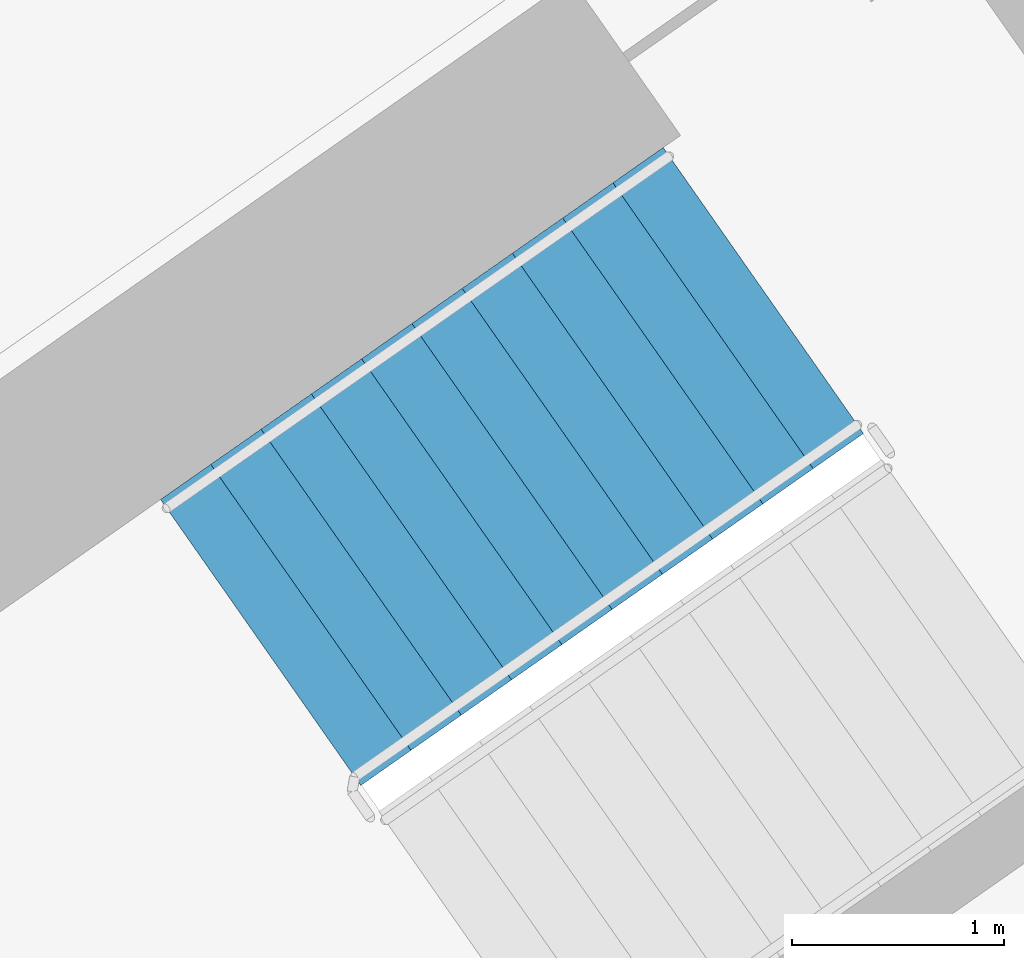
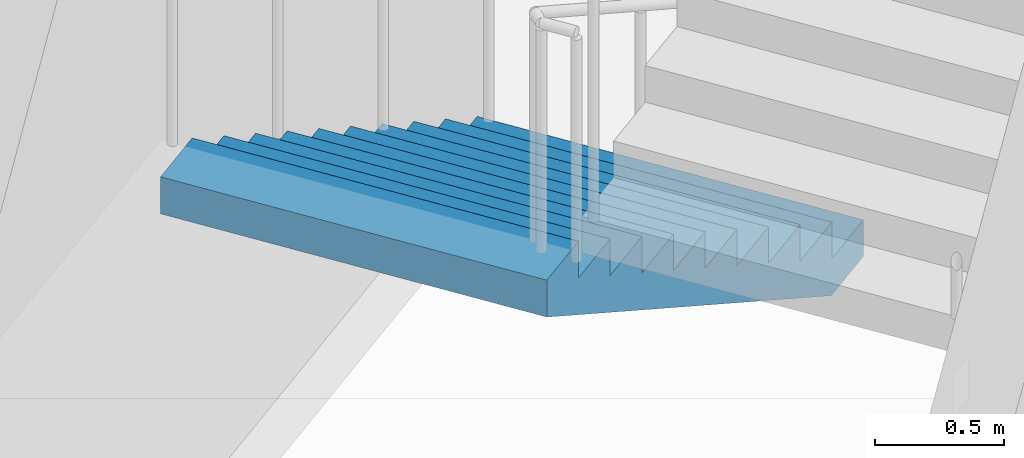
# One storey, part 17 of 31: 1 stair flight, 1 element without a shape of its own.
"""IFC4 building model written with IfcOpenShell, lengths in metres."""

from ifc_helpers import new_model, si_unit, direction, frame, origin, place, context, subcontext, project, spatial, faceted_brep, material, type_object, element, aggregate, save


model = new_model("IFC4")

# Units and contexts
model_context = context("Model", 3, precision=1e-05, world=origin(), true_north=direction((0.0, 1.0)))
body_context = subcontext(model_context, "Body", "Model", "MODEL_VIEW")
ifc_project = project(units=[si_unit("LENGTHUNIT", "METRE"), si_unit("AREAUNIT", "SQUARE_METRE"), si_unit("VOLUMEUNIT", "CUBIC_METRE"), si_unit("PLANEANGLEUNIT", "RADIAN"), si_unit("MASSUNIT", "GRAM", prefix="KILO")], contexts=[model_context])

# Site, building, storey
site_placement = place(None, origin())
site = spatial("IfcSite", under=ifc_project, at=site_placement, CompositionType="ELEMENT")
building_placement = place(site_placement, origin())
building = spatial("IfcBuilding", under=site, at=building_placement, Name="Qamariyya Broadcast Tower", CompositionType="ELEMENT")
storey_placement = place(building_placement, frame((0.0, 0.0, 48.10009765625)))
storey = spatial("IfcBuildingStorey", under=building, at=storey_placement, Name="L08", CompositionType="ELEMENT", Elevation=48.10009765625)

# Stair, stair flight
ifc_material = material(Name="Concrete C50/60", Category="concrete")
stair_type = type_object("IfcStairType", Name="Exit stair 22 risers of 173 mm", PredefinedType="HALF_TURN_STAIR", material=ifc_material)
stair_placement = place(storey_placement, origin())
stair = element("IfcStair", 1, at=stair_placement, inside=storey, type_object=stair_type, Name="L08 Stair E2", PredefinedType="HALF_TURN_STAIR")
stair_flight_type = type_object("IfcStairFlightType", Name="Exit stair flight 11 risers of 173 mm", PredefinedType="STRAIGHT", material=ifc_material)
stair_flight_placement = place(storey_placement, frame((40.558837890625, -47.685302734375, 0.0), z_axis=(0.0, 0.0, 1.0), x_axis=(-0.819152044289, -0.573576436351, 0.0)))
stair_flight = element("IfcStairFlight", 2, at=stair_flight_placement, type_object=stair_flight_type, Name="ST-E2 flight 1", NumberOfRisers=11, NumberOfTreads=10, PredefinedType="STRAIGHT", RiserHeight=0.172727273, TreadLength=0.29, context=body_context, shape_type="Brep", body=[
    faceted_brep([(0.0, 0.824951171875, 0.0), (0.0, 0.824951171875, 0.172607421875), (0.2900390625, 0.824951171875, 0.172607421875), (0.2900390625, 0.824951171875, 0.345458984375), (0.580078125, 0.824951171875, 0.345458984375), (0.580078125, 0.824951171875, 0.51806640625), (0.8701171875, 0.824951171875, 0.51806640625), (0.8701171875, 0.824951171875, 0.69091796875), (1.159912109375, 0.824951171875, 0.69091796875), (1.159912109375, 0.824951171875, 0.863525390625), (1.449951171875, 0.824951171875, 0.863525390625), (1.449951171875, 0.824951171875, 1.036376953125), (1.739990234375, 0.824951171875, 1.036376953125), (1.739990234375, 0.824951171875, 1.208984375), (2.030029296875, 0.824951171875, 1.208984375), (2.030029296875, 0.824951171875, 1.3818359375), (2.320068359375, 0.824951171875, 1.3818359375), (2.320068359375, 0.824951171875, 1.554443359375), (2.610107421875, 0.824951171875, 1.554443359375), (2.610107421875, 0.824951171875, 1.727294921875), (2.89990234375, 0.824951171875, 1.727294921875), (2.89990234375, 0.824951171875, 1.552734375), (0.29296875, 0.824951171875, 0.0), (0.29296875, -0.824951171875, 0.0), (2.89990234375, -0.824951171875, 1.552734375), (2.89990234375, -0.824951171875, 1.727294921875), (2.610107421875, -0.824951171875, 1.727294921875), (2.610107421875, -0.824951171875, 1.554443359375), (2.320068359375, -0.824951171875, 1.554443359375), (2.320068359375, -0.824951171875, 1.3818359375), (2.030029296875, -0.824951171875, 1.3818359375), (2.030029296875, -0.824951171875, 1.208984375), (1.739990234375, -0.824951171875, 1.208984375), (1.739990234375, -0.824951171875, 1.036376953125), (1.449951171875, -0.824951171875, 1.036376953125), (1.449951171875, -0.824951171875, 0.863525390625), (1.159912109375, -0.824951171875, 0.863525390625), (1.159912109375, -0.824951171875, 0.69091796875), (0.8701171875, -0.824951171875, 0.69091796875), (0.8701171875, -0.824951171875, 0.51806640625), (0.580078125, -0.824951171875, 0.51806640625), (0.580078125, -0.824951171875, 0.345458984375), (0.2900390625, -0.824951171875, 0.345458984375), (0.2900390625, -0.824951171875, 0.172607421875), (0.0, -0.824951171875, 0.172607421875), (0.0, -0.824951171875, 0.0), (0.0, 0.10009765625, 0.0), (0.0, 0.086669921875, 0.0), (0.0, 0.0732421875, 0.0), (0.0, 0.06005859375, 0.0), (0.0, 0.046630859375, 0.0), (0.0, 0.033447265625, 0.0), (0.0, 0.02001953125, 0.0), (0.0, 0.006591796875, 0.0), (0.0, -0.006591796875, 0.0), (0.0, -0.02001953125, 0.0), (0.0, -0.033447265625, 0.0), (0.0, -0.046630859375, 0.0), (0.0, -0.06005859375, 0.0), (0.0, -0.0732421875, 0.0), (0.0, -0.086669921875, 0.0), (0.0, -0.10009765625, 0.0), (0.0, -0.10009765625, 0.172607421875), (0.0, -0.086669921875, 0.172607421875), (0.0, -0.0732421875, 0.172607421875), (0.0, -0.06005859375, 0.172607421875), (0.0, -0.046630859375, 0.172607421875), (0.0, -0.033447265625, 0.172607421875), (0.0, -0.02001953125, 0.172607421875), (0.0, -0.006591796875, 0.172607421875), (0.0, 0.006591796875, 0.172607421875), (0.0, 0.02001953125, 0.172607421875), (0.0, 0.033447265625, 0.172607421875), (0.0, 0.046630859375, 0.172607421875), (0.0, 0.06005859375, 0.172607421875), (0.0, 0.0732421875, 0.172607421875), (0.0, 0.086669921875, 0.172607421875), (0.0, 0.10009765625, 0.172607421875), (0.2900390625, -0.10009765625, 0.172607421875), (0.2900390625, -0.086669921875, 0.172607421875), (0.2900390625, -0.0732421875, 0.172607421875), (0.2900390625, -0.06005859375, 0.172607421875), (0.2900390625, -0.046630859375, 0.172607421875), (0.2900390625, -0.033447265625, 0.172607421875), (0.2900390625, -0.02001953125, 0.172607421875), (0.2900390625, -0.006591796875, 0.172607421875), (0.2900390625, 0.006591796875, 0.172607421875), (0.2900390625, 0.02001953125, 0.172607421875), (0.2900390625, 0.033447265625, 0.172607421875), (0.2900390625, 0.046630859375, 0.172607421875), (0.2900390625, 0.06005859375, 0.172607421875), (0.2900390625, 0.0732421875, 0.172607421875), (0.2900390625, 0.086669921875, 0.172607421875), (0.2900390625, 0.10009765625, 0.172607421875), (0.2900390625, -0.10009765625, 0.345458984375), (0.2900390625, -0.086669921875, 0.345458984375), (0.2900390625, -0.0732421875, 0.345458984375), (0.2900390625, -0.06005859375, 0.345458984375), (0.2900390625, -0.046630859375, 0.345458984375), (0.2900390625, -0.033447265625, 0.345458984375), (0.2900390625, -0.02001953125, 0.345458984375), (0.2900390625, -0.006591796875, 0.345458984375), (0.2900390625, 0.006591796875, 0.345458984375), (0.2900390625, 0.02001953125, 0.345458984375), (0.2900390625, 0.033447265625, 0.345458984375), (0.2900390625, 0.046630859375, 0.345458984375), (0.2900390625, 0.06005859375, 0.345458984375), (0.2900390625, 0.0732421875, 0.345458984375), (0.2900390625, 0.086669921875, 0.345458984375), (0.2900390625, 0.10009765625, 0.345458984375), (0.580078125, -0.10009765625, 0.345458984375), (0.580078125, -0.086669921875, 0.345458984375), (0.580078125, -0.0732421875, 0.345458984375), (0.580078125, -0.06005859375, 0.345458984375), (0.580078125, -0.046630859375, 0.345458984375), (0.580078125, -0.033447265625, 0.345458984375), (0.580078125, -0.02001953125, 0.345458984375), (0.580078125, -0.006591796875, 0.345458984375), (0.580078125, 0.006591796875, 0.345458984375), (0.580078125, 0.02001953125, 0.345458984375), (0.580078125, 0.033447265625, 0.345458984375), (0.580078125, 0.046630859375, 0.345458984375), (0.580078125, 0.06005859375, 0.345458984375), (0.580078125, 0.0732421875, 0.345458984375), (0.580078125, 0.086669921875, 0.345458984375), (0.580078125, 0.10009765625, 0.345458984375), (0.580078125, -0.10009765625, 0.51806640625), (0.580078125, -0.086669921875, 0.51806640625), (0.580078125, -0.0732421875, 0.51806640625), (0.580078125, -0.06005859375, 0.51806640625), (0.580078125, -0.046630859375, 0.51806640625), (0.580078125, -0.033447265625, 0.51806640625), (0.580078125, -0.02001953125, 0.51806640625), (0.580078125, -0.006591796875, 0.51806640625), (0.580078125, 0.006591796875, 0.51806640625), (0.580078125, 0.02001953125, 0.51806640625), (0.580078125, 0.033447265625, 0.51806640625), (0.580078125, 0.046630859375, 0.51806640625), (0.580078125, 0.06005859375, 0.51806640625), (0.580078125, 0.0732421875, 0.51806640625), (0.580078125, 0.086669921875, 0.51806640625), (0.580078125, 0.10009765625, 0.51806640625), (0.8701171875, -0.10009765625, 0.51806640625), (0.8701171875, -0.086669921875, 0.51806640625), (0.8701171875, -0.0732421875, 0.51806640625), (0.8701171875, -0.06005859375, 0.51806640625), (0.8701171875, -0.046630859375, 0.51806640625), (0.8701171875, -0.033447265625, 0.51806640625), (0.8701171875, -0.02001953125, 0.51806640625), (0.8701171875, -0.006591796875, 0.51806640625), (0.8701171875, 0.006591796875, 0.51806640625), (0.8701171875, 0.02001953125, 0.51806640625), (0.8701171875, 0.033447265625, 0.51806640625), (0.8701171875, 0.046630859375, 0.51806640625), (0.8701171875, 0.06005859375, 0.51806640625), (0.8701171875, 0.0732421875, 0.51806640625), (0.8701171875, 0.086669921875, 0.51806640625), (0.8701171875, 0.10009765625, 0.51806640625), (0.8701171875, -0.10009765625, 0.69091796875), (0.8701171875, -0.086669921875, 0.69091796875), (0.8701171875, -0.0732421875, 0.69091796875), (0.8701171875, -0.06005859375, 0.69091796875), (0.8701171875, -0.046630859375, 0.69091796875), (0.8701171875, -0.033447265625, 0.69091796875), (0.8701171875, -0.02001953125, 0.69091796875), (0.8701171875, -0.006591796875, 0.69091796875), (0.8701171875, 0.006591796875, 0.69091796875), (0.8701171875, 0.02001953125, 0.69091796875), (0.8701171875, 0.033447265625, 0.69091796875), (0.8701171875, 0.046630859375, 0.69091796875), (0.8701171875, 0.06005859375, 0.69091796875), (0.8701171875, 0.0732421875, 0.69091796875), (0.8701171875, 0.086669921875, 0.69091796875), (0.8701171875, 0.10009765625, 0.69091796875), (1.159912109375, -0.10009765625, 0.69091796875), (1.159912109375, -0.086669921875, 0.69091796875), (1.159912109375, -0.0732421875, 0.69091796875), (1.159912109375, -0.06005859375, 0.69091796875), (1.159912109375, -0.046630859375, 0.69091796875), (1.159912109375, -0.033447265625, 0.69091796875), (1.159912109375, -0.02001953125, 0.69091796875), (1.159912109375, -0.006591796875, 0.69091796875), (1.159912109375, 0.006591796875, 0.69091796875), (1.159912109375, 0.02001953125, 0.69091796875), (1.159912109375, 0.033447265625, 0.69091796875), (1.159912109375, 0.046630859375, 0.69091796875), (1.159912109375, 0.06005859375, 0.69091796875), (1.159912109375, 0.0732421875, 0.69091796875), (1.159912109375, 0.086669921875, 0.69091796875), (1.159912109375, 0.10009765625, 0.69091796875), (1.159912109375, -0.10009765625, 0.863525390625), (1.159912109375, -0.086669921875, 0.863525390625), (1.159912109375, -0.0732421875, 0.863525390625), (1.159912109375, -0.06005859375, 0.863525390625), (1.159912109375, -0.046630859375, 0.863525390625), (1.159912109375, -0.033447265625, 0.863525390625), (1.159912109375, -0.02001953125, 0.863525390625), (1.159912109375, -0.006591796875, 0.863525390625), (1.159912109375, 0.006591796875, 0.863525390625), (1.159912109375, 0.02001953125, 0.863525390625), (1.159912109375, 0.033447265625, 0.863525390625), (1.159912109375, 0.046630859375, 0.863525390625), (1.159912109375, 0.06005859375, 0.863525390625), (1.159912109375, 0.0732421875, 0.863525390625), (1.159912109375, 0.086669921875, 0.863525390625), (1.159912109375, 0.10009765625, 0.863525390625), (1.449951171875, -0.10009765625, 0.863525390625), (1.449951171875, -0.086669921875, 0.863525390625), (1.449951171875, -0.0732421875, 0.863525390625), (1.449951171875, -0.06005859375, 0.863525390625), (1.449951171875, -0.046630859375, 0.863525390625), (1.449951171875, -0.033447265625, 0.863525390625), (1.449951171875, -0.02001953125, 0.863525390625), (1.449951171875, -0.006591796875, 0.863525390625), (1.449951171875, 0.006591796875, 0.863525390625), (1.449951171875, 0.02001953125, 0.863525390625), (1.449951171875, 0.033447265625, 0.863525390625), (1.449951171875, 0.046630859375, 0.863525390625), (1.449951171875, 0.06005859375, 0.863525390625), (1.449951171875, 0.0732421875, 0.863525390625), (1.449951171875, 0.086669921875, 0.863525390625), (1.449951171875, 0.10009765625, 0.863525390625), (1.449951171875, -0.10009765625, 1.036376953125), (1.449951171875, -0.086669921875, 1.036376953125), (1.449951171875, -0.0732421875, 1.036376953125), (1.449951171875, -0.06005859375, 1.036376953125), (1.449951171875, -0.046630859375, 1.036376953125), (1.449951171875, -0.033447265625, 1.036376953125), (1.449951171875, -0.02001953125, 1.036376953125), (1.449951171875, -0.006591796875, 1.036376953125), (1.449951171875, 0.006591796875, 1.036376953125), (1.449951171875, 0.02001953125, 1.036376953125), (1.449951171875, 0.033447265625, 1.036376953125), (1.449951171875, 0.046630859375, 1.036376953125), (1.449951171875, 0.06005859375, 1.036376953125), (1.449951171875, 0.0732421875, 1.036376953125), (1.449951171875, 0.086669921875, 1.036376953125), (1.449951171875, 0.10009765625, 1.036376953125), (1.739990234375, -0.10009765625, 1.036376953125), (1.739990234375, -0.086669921875, 1.036376953125), (1.739990234375, -0.0732421875, 1.036376953125), (1.739990234375, -0.06005859375, 1.036376953125), (1.739990234375, -0.046630859375, 1.036376953125), (1.739990234375, -0.033447265625, 1.036376953125), (1.739990234375, -0.02001953125, 1.036376953125), (1.739990234375, -0.006591796875, 1.036376953125), (1.739990234375, 0.006591796875, 1.036376953125), (1.739990234375, 0.02001953125, 1.036376953125), (1.739990234375, 0.033447265625, 1.036376953125), (1.739990234375, 0.046630859375, 1.036376953125), (1.739990234375, 0.06005859375, 1.036376953125), (1.739990234375, 0.0732421875, 1.036376953125), (1.739990234375, 0.086669921875, 1.036376953125), (1.739990234375, 0.10009765625, 1.036376953125), (1.739990234375, -0.10009765625, 1.208984375), (1.739990234375, -0.086669921875, 1.208984375), (1.739990234375, -0.0732421875, 1.208984375), (1.739990234375, -0.06005859375, 1.208984375), (1.739990234375, -0.046630859375, 1.208984375), (1.739990234375, -0.033447265625, 1.208984375), (1.739990234375, -0.02001953125, 1.208984375), (1.739990234375, -0.006591796875, 1.208984375), (1.739990234375, 0.006591796875, 1.208984375), (1.739990234375, 0.02001953125, 1.208984375), (1.739990234375, 0.033447265625, 1.208984375), (1.739990234375, 0.046630859375, 1.208984375), (1.739990234375, 0.06005859375, 1.208984375), (1.739990234375, 0.0732421875, 1.208984375), (1.739990234375, 0.086669921875, 1.208984375), (1.739990234375, 0.10009765625, 1.208984375), (2.030029296875, -0.10009765625, 1.208984375), (2.030029296875, -0.086669921875, 1.208984375), (2.030029296875, -0.0732421875, 1.208984375), (2.030029296875, -0.06005859375, 1.208984375), (2.030029296875, -0.046630859375, 1.208984375), (2.030029296875, -0.033447265625, 1.208984375), (2.030029296875, -0.02001953125, 1.208984375), (2.030029296875, -0.006591796875, 1.208984375), (2.030029296875, 0.006591796875, 1.208984375), (2.030029296875, 0.02001953125, 1.208984375), (2.030029296875, 0.033447265625, 1.208984375), (2.030029296875, 0.046630859375, 1.208984375), (2.030029296875, 0.06005859375, 1.208984375), (2.030029296875, 0.0732421875, 1.208984375), (2.030029296875, 0.086669921875, 1.208984375), (2.030029296875, 0.10009765625, 1.208984375), (2.030029296875, -0.10009765625, 1.3818359375), (2.030029296875, -0.086669921875, 1.3818359375), (2.030029296875, -0.0732421875, 1.3818359375), (2.030029296875, -0.06005859375, 1.3818359375), (2.030029296875, -0.046630859375, 1.3818359375), (2.030029296875, -0.033447265625, 1.3818359375), (2.030029296875, -0.02001953125, 1.3818359375), (2.030029296875, -0.006591796875, 1.3818359375), (2.030029296875, 0.006591796875, 1.3818359375), (2.030029296875, 0.02001953125, 1.3818359375), (2.030029296875, 0.033447265625, 1.3818359375), (2.030029296875, 0.046630859375, 1.3818359375), (2.030029296875, 0.06005859375, 1.3818359375), (2.030029296875, 0.0732421875, 1.3818359375), (2.030029296875, 0.086669921875, 1.3818359375), (2.030029296875, 0.10009765625, 1.3818359375), (2.320068359375, -0.10009765625, 1.3818359375), (2.320068359375, -0.086669921875, 1.3818359375), (2.320068359375, -0.0732421875, 1.3818359375), (2.320068359375, -0.06005859375, 1.3818359375), (2.320068359375, -0.046630859375, 1.3818359375), (2.320068359375, -0.033447265625, 1.3818359375), (2.320068359375, -0.02001953125, 1.3818359375), (2.320068359375, -0.006591796875, 1.3818359375), (2.320068359375, 0.006591796875, 1.3818359375), (2.320068359375, 0.02001953125, 1.3818359375), (2.320068359375, 0.033447265625, 1.3818359375), (2.320068359375, 0.046630859375, 1.3818359375), (2.320068359375, 0.06005859375, 1.3818359375), (2.320068359375, 0.0732421875, 1.3818359375), (2.320068359375, 0.086669921875, 1.3818359375), (2.320068359375, 0.10009765625, 1.3818359375), (2.320068359375, -0.10009765625, 1.554443359375), (2.320068359375, -0.086669921875, 1.554443359375), (2.320068359375, -0.0732421875, 1.554443359375), (2.320068359375, -0.06005859375, 1.554443359375), (2.320068359375, -0.046630859375, 1.554443359375), (2.320068359375, -0.033447265625, 1.554443359375), (2.320068359375, -0.02001953125, 1.554443359375), (2.320068359375, -0.006591796875, 1.554443359375), (2.320068359375, 0.006591796875, 1.554443359375), (2.320068359375, 0.02001953125, 1.554443359375), (2.320068359375, 0.033447265625, 1.554443359375), (2.320068359375, 0.046630859375, 1.554443359375), (2.320068359375, 0.06005859375, 1.554443359375), (2.320068359375, 0.0732421875, 1.554443359375), (2.320068359375, 0.086669921875, 1.554443359375), (2.320068359375, 0.10009765625, 1.554443359375), (2.610107421875, -0.10009765625, 1.554443359375), (2.610107421875, -0.086669921875, 1.554443359375), (2.610107421875, -0.0732421875, 1.554443359375), (2.610107421875, -0.06005859375, 1.554443359375), (2.610107421875, -0.046630859375, 1.554443359375), (2.610107421875, -0.033447265625, 1.554443359375), (2.610107421875, -0.02001953125, 1.554443359375), (2.610107421875, -0.006591796875, 1.554443359375), (2.610107421875, 0.006591796875, 1.554443359375), (2.610107421875, 0.02001953125, 1.554443359375), (2.610107421875, 0.033447265625, 1.554443359375), (2.610107421875, 0.046630859375, 1.554443359375), (2.610107421875, 0.06005859375, 1.554443359375), (2.610107421875, 0.0732421875, 1.554443359375), (2.610107421875, 0.086669921875, 1.554443359375), (2.610107421875, 0.10009765625, 1.554443359375), (2.610107421875, -0.10009765625, 1.727294921875), (2.610107421875, -0.086669921875, 1.727294921875), (2.610107421875, -0.0732421875, 1.727294921875), (2.610107421875, -0.06005859375, 1.727294921875), (2.610107421875, -0.046630859375, 1.727294921875), (2.610107421875, -0.033447265625, 1.727294921875), (2.610107421875, -0.02001953125, 1.727294921875), (2.610107421875, -0.006591796875, 1.727294921875), (2.610107421875, 0.006591796875, 1.727294921875), (2.610107421875, 0.02001953125, 1.727294921875), (2.610107421875, 0.033447265625, 1.727294921875), (2.610107421875, 0.046630859375, 1.727294921875), (2.610107421875, 0.06005859375, 1.727294921875), (2.610107421875, 0.0732421875, 1.727294921875), (2.610107421875, 0.086669921875, 1.727294921875), (2.610107421875, 0.10009765625, 1.727294921875), (2.89990234375, -0.10009765625, 1.727294921875), (2.89990234375, -0.086669921875, 1.727294921875), (2.89990234375, -0.0732421875, 1.727294921875), (2.89990234375, -0.06005859375, 1.727294921875), (2.89990234375, -0.046630859375, 1.727294921875), (2.89990234375, -0.033447265625, 1.727294921875), (2.89990234375, -0.02001953125, 1.727294921875), (2.89990234375, -0.006591796875, 1.727294921875), (2.89990234375, 0.006591796875, 1.727294921875), (2.89990234375, 0.02001953125, 1.727294921875), (2.89990234375, 0.033447265625, 1.727294921875), (2.89990234375, 0.046630859375, 1.727294921875), (2.89990234375, 0.06005859375, 1.727294921875), (2.89990234375, 0.0732421875, 1.727294921875), (2.89990234375, 0.086669921875, 1.727294921875), (2.89990234375, 0.10009765625, 1.727294921875), (2.89990234375, -0.10009765625, 1.552734375), (2.89990234375, -0.086669921875, 1.552734375), (2.89990234375, -0.0732421875, 1.552734375), (2.89990234375, -0.06005859375, 1.552734375), (2.89990234375, -0.046630859375, 1.552734375), (2.89990234375, -0.033447265625, 1.552734375), (2.89990234375, -0.02001953125, 1.552734375), (2.89990234375, -0.006591796875, 1.552734375), (2.89990234375, 0.006591796875, 1.552734375), (2.89990234375, 0.02001953125, 1.552734375), (2.89990234375, 0.033447265625, 1.552734375), (2.89990234375, 0.046630859375, 1.552734375), (2.89990234375, 0.06005859375, 1.552734375), (2.89990234375, 0.0732421875, 1.552734375), (2.89990234375, 0.086669921875, 1.552734375), (2.89990234375, 0.10009765625, 1.552734375), (0.29296875, -0.10009765625, 0.0), (0.29296875, -0.086669921875, 0.0), (0.29296875, -0.0732421875, 0.0), (0.29296875, -0.06005859375, 0.0), (0.29296875, -0.046630859375, 0.0), (0.29296875, -0.033447265625, 0.0), (0.29296875, -0.02001953125, 0.0), (0.29296875, -0.006591796875, 0.0), (0.29296875, 0.006591796875, 0.0), (0.29296875, 0.02001953125, 0.0), (0.29296875, 0.033447265625, 0.0), (0.29296875, 0.046630859375, 0.0), (0.29296875, 0.06005859375, 0.0), (0.29296875, 0.0732421875, 0.0), (0.29296875, 0.086669921875, 0.0), (0.29296875, 0.10009765625, 0.0)], [[[0, 1, 2, 3, 4, 5, 6, 7, 8, 9, 10, 11, 12, 13, 14, 15, 16, 17, 18, 19, 20, 21, 22]], [[23, 24, 25, 26, 27, 28, 29, 30, 31, 32, 33, 34, 35, 36, 37, 38, 39, 40, 41, 42, 43, 44, 45]], [[0, 46, 47, 48, 49, 50, 51, 52, 53, 54, 55, 56, 57, 58, 59, 60, 61, 45, 44, 62, 63, 64, 65, 66, 67, 68, 69, 70, 71, 72, 73, 74, 75, 76, 77, 1]], [[1, 77, 76, 75, 74, 73, 72, 71, 70, 69, 68, 67, 66, 65, 64, 63, 62, 44, 43, 78, 79, 80, 81, 82, 83, 84, 85, 86, 87, 88, 89, 90, 91, 92, 93, 2]], [[2, 93, 92, 91, 90, 89, 88, 87, 86, 85, 84, 83, 82, 81, 80, 79, 78, 43, 42, 94, 95, 96, 97, 98, 99, 100, 101, 102, 103, 104, 105, 106, 107, 108, 109, 3]], [[3, 109, 108, 107, 106, 105, 104, 103, 102, 101, 100, 99, 98, 97, 96, 95, 94, 42, 41, 110, 111, 112, 113, 114, 115, 116, 117, 118, 119, 120, 121, 122, 123, 124, 125, 4]], [[4, 125, 124, 123, 122, 121, 120, 119, 118, 117, 116, 115, 114, 113, 112, 111, 110, 41, 40, 126, 127, 128, 129, 130, 131, 132, 133, 134, 135, 136, 137, 138, 139, 140, 141, 5]], [[5, 141, 140, 139, 138, 137, 136, 135, 134, 133, 132, 131, 130, 129, 128, 127, 126, 40, 39, 142, 143, 144, 145, 146, 147, 148, 149, 150, 151, 152, 153, 154, 155, 156, 157, 6]], [[6, 157, 156, 155, 154, 153, 152, 151, 150, 149, 148, 147, 146, 145, 144, 143, 142, 39, 38, 158, 159, 160, 161, 162, 163, 164, 165, 166, 167, 168, 169, 170, 171, 172, 173, 7]], [[7, 173, 172, 171, 170, 169, 168, 167, 166, 165, 164, 163, 162, 161, 160, 159, 158, 38, 37, 174, 175, 176, 177, 178, 179, 180, 181, 182, 183, 184, 185, 186, 187, 188, 189, 8]], [[8, 189, 188, 187, 186, 185, 184, 183, 182, 181, 180, 179, 178, 177, 176, 175, 174, 37, 36, 190, 191, 192, 193, 194, 195, 196, 197, 198, 199, 200, 201, 202, 203, 204, 205, 9]], [[9, 205, 204, 203, 202, 201, 200, 199, 198, 197, 196, 195, 194, 193, 192, 191, 190, 36, 35, 206, 207, 208, 209, 210, 211, 212, 213, 214, 215, 216, 217, 218, 219, 220, 221, 10]], [[10, 221, 220, 219, 218, 217, 216, 215, 214, 213, 212, 211, 210, 209, 208, 207, 206, 35, 34, 222, 223, 224, 225, 226, 227, 228, 229, 230, 231, 232, 233, 234, 235, 236, 237, 11]], [[11, 237, 236, 235, 234, 233, 232, 231, 230, 229, 228, 227, 226, 225, 224, 223, 222, 34, 33, 238, 239, 240, 241, 242, 243, 244, 245, 246, 247, 248, 249, 250, 251, 252, 253, 12]], [[12, 253, 252, 251, 250, 249, 248, 247, 246, 245, 244, 243, 242, 241, 240, 239, 238, 33, 32, 254, 255, 256, 257, 258, 259, 260, 261, 262, 263, 264, 265, 266, 267, 268, 269, 13]], [[13, 269, 268, 267, 266, 265, 264, 263, 262, 261, 260, 259, 258, 257, 256, 255, 254, 32, 31, 270, 271, 272, 273, 274, 275, 276, 277, 278, 279, 280, 281, 282, 283, 284, 285, 14]], [[14, 285, 284, 283, 282, 281, 280, 279, 278, 277, 276, 275, 274, 273, 272, 271, 270, 31, 30, 286, 287, 288, 289, 290, 291, 292, 293, 294, 295, 296, 297, 298, 299, 300, 301, 15]], [[15, 301, 300, 299, 298, 297, 296, 295, 294, 293, 292, 291, 290, 289, 288, 287, 286, 30, 29, 302, 303, 304, 305, 306, 307, 308, 309, 310, 311, 312, 313, 314, 315, 316, 317, 16]], [[16, 317, 316, 315, 314, 313, 312, 311, 310, 309, 308, 307, 306, 305, 304, 303, 302, 29, 28, 318, 319, 320, 321, 322, 323, 324, 325, 326, 327, 328, 329, 330, 331, 332, 333, 17]], [[17, 333, 332, 331, 330, 329, 328, 327, 326, 325, 324, 323, 322, 321, 320, 319, 318, 28, 27, 334, 335, 336, 337, 338, 339, 340, 341, 342, 343, 344, 345, 346, 347, 348, 349, 18]], [[18, 349, 348, 347, 346, 345, 344, 343, 342, 341, 340, 339, 338, 337, 336, 335, 334, 27, 26, 350, 351, 352, 353, 354, 355, 356, 357, 358, 359, 360, 361, 362, 363, 364, 365, 19]], [[19, 365, 364, 363, 362, 361, 360, 359, 358, 357, 356, 355, 354, 353, 352, 351, 350, 26, 25, 366, 367, 368, 369, 370, 371, 372, 373, 374, 375, 376, 377, 378, 379, 380, 381, 20]], [[20, 381, 380, 379, 378, 377, 376, 375, 374, 373, 372, 371, 370, 369, 368, 367, 366, 25, 24, 382, 383, 384, 385, 386, 387, 388, 389, 390, 391, 392, 393, 394, 395, 396, 397, 21]], [[21, 397, 396, 395, 394, 393, 392, 391, 390, 389, 388, 387, 386, 385, 384, 383, 382, 24, 23, 398, 399, 400, 401, 402, 403, 404, 405, 406, 407, 408, 409, 410, 411, 412, 413, 22]], [[22, 413, 412, 411, 410, 409, 408, 407, 406, 405, 404, 403, 402, 401, 400, 399, 398, 23, 45, 61, 60, 59, 58, 57, 56, 55, 54, 53, 52, 51, 50, 49, 48, 47, 46, 0]]]),
])
aggregate(stair, [stair_flight])

save(model, "model.ifc")
